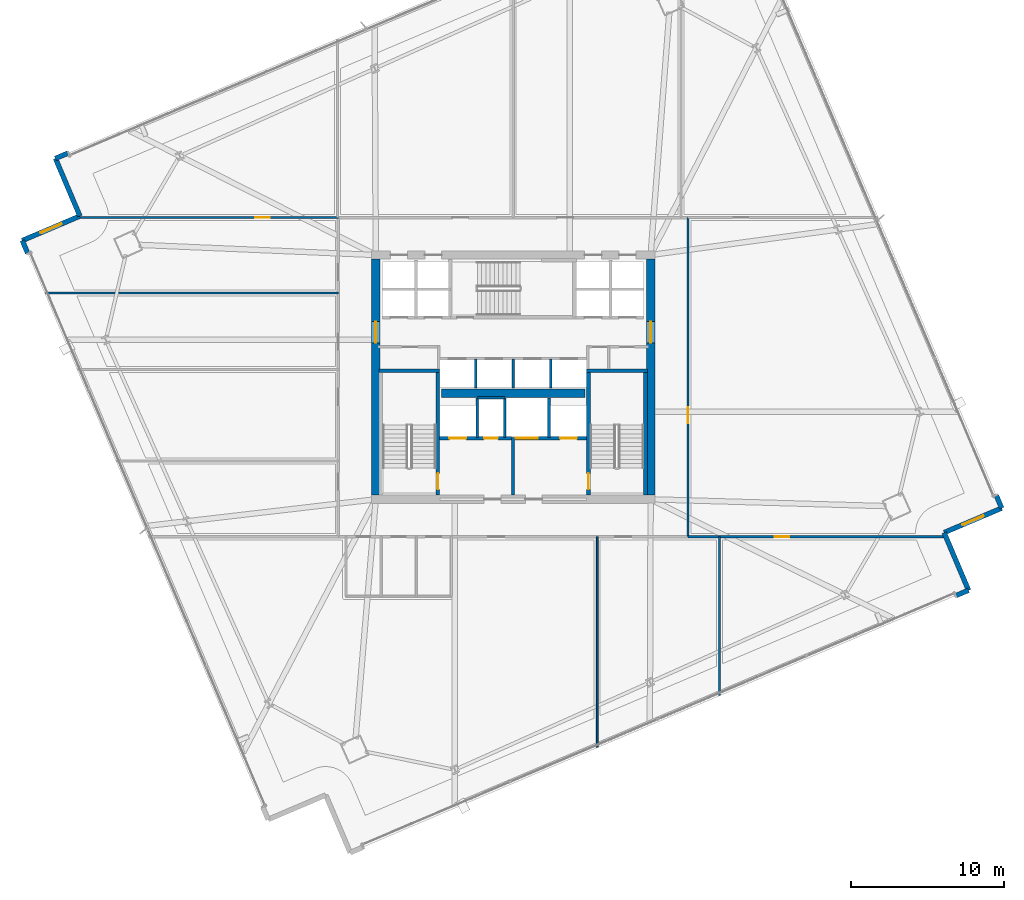
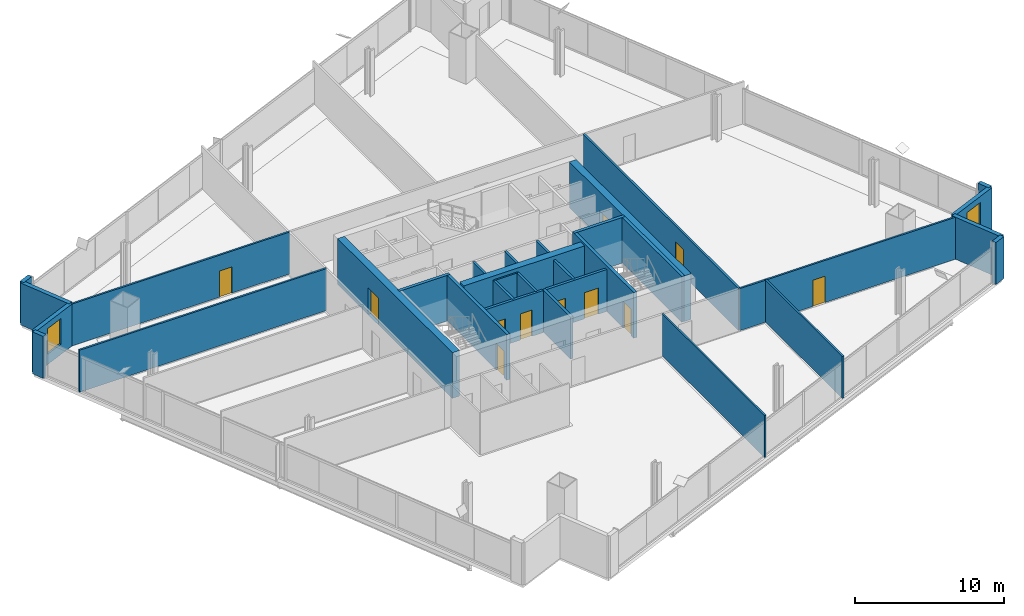
# One storey, part 27 of 34: 32 walls, 11 doors, 2 windows, 13 openings.
"""IFC4 building model written with IfcOpenShell, lengths in metres."""

from ifc_helpers import new_model, si_unit, direction, frame, frame_2d, origin, place, context, subcontext, project, spatial, rectangle, extrude, material, layer, layer_set, type_object, element, fill, save


model = new_model("IFC4")

# Units and contexts
model_context = context("Model", 3, precision=1e-05, world=origin(), true_north=direction((0.0, 1.0)))
body_context = subcontext(model_context, "Body", "Model", "MODEL_VIEW")
ifc_project = project(units=[si_unit("LENGTHUNIT", "METRE"), si_unit("AREAUNIT", "SQUARE_METRE"), si_unit("VOLUMEUNIT", "CUBIC_METRE"), si_unit("PLANEANGLEUNIT", "RADIAN"), si_unit("MASSUNIT", "GRAM", prefix="KILO")], contexts=[model_context])

# Site, building, storey
site_placement = place(None, origin())
site = spatial("IfcSite", under=ifc_project, at=site_placement, CompositionType="ELEMENT")
building_placement = place(site_placement, origin())
building = spatial("IfcBuilding", under=site, at=building_placement, Name="Haldenkirk Collegiate Tower", CompositionType="ELEMENT")
storey_placement = place(building_placement, frame((0.0, 0.0, 105.449951171875)))
storey = spatial("IfcBuildingStorey", under=building, at=storey_placement, Name="L25", CompositionType="ELEMENT", Elevation=105.449951171875)

# Wall, opening, door
ifc_material_1 = material(Name="Concrete f'c 70 MPa", Category="concrete")
ifc_layer_1 = layer(ifc_material_1, 0.550048828125)
ifc_layer_set_1 = layer_set([ifc_layer_1], Name="Concrete f'c 70 MPa")
wall_type_1 = type_object("IfcWallType", Name="WL-CORE-550", PredefinedType="SHEAR", material=ifc_layer_set_1)
wall_1_placement = place(storey_placement, frame((27.0, 18.27490234375, 0.0), z_axis=(0.0, 0.0, 1.0), x_axis=(0.0, 1.0, 0.0)))
wall_1 = element("IfcWall", 1, at=wall_1_placement, inside=storey, type_object=wall_type_1, Name="L25 central core shear wall W", PredefinedType="SHEAR", context=body_context, shape_type="SweptSolid", body=[
    extrude(rectangle(XDim=15.4501953125, YDim=0.550048828125, at=frame_2d((7.72509765625, 0.0))), origin(), (0.0, 0.0, 1.0), 3.75),
])
opening_1_placement = place(wall_1_placement, frame((9.965087890625, 0.0, 0.0)))
opening_1 = element("IfcOpeningElement", 2, at=opening_1_placement, cuts=wall_1, Name="Opening D-03", PredefinedType="OPENING", context=body_context, shape_type="SweptSolid", body=[
    extrude(rectangle(XDim=1.39990234375, YDim=2.199951171875, at=frame_2d((0.699951171875, 1.10009765625))), frame((0.0, 0.284912109375, 0.0), z_axis=(0.0, -1.0, 0.0), x_axis=(1.0, 0.0, 0.0)), (0.0, 0.0, 1.0), 0.570068359375),
])
ifc_material_2 = material(Name="Galvanized fire-rated hollow steel door", Category="steel")
ifc_layer_2 = layer(ifc_material_2, 0.06005859375)
ifc_layer_set_2 = layer_set([ifc_layer_2], Name="Galvanized fire-rated hollow steel door")
door_type_1 = type_object("IfcDoorType", Name="DR-LOBBY-FD90-1400", OperationType="NOTDEFINED", PredefinedType="DOOR", material=ifc_layer_set_2)
door_1_placement = place(opening_1_placement, origin())
door_1 = element("IfcDoor", 3, at=door_1_placement, inside=storey, type_object=door_type_1, Name="L25 west lift lobby portal", OperationType="DOUBLE_DOOR_SINGLE_SWING", OverallHeight=2.199951171875, OverallWidth=1.39990234375, PredefinedType="DOOR", context=body_context, shape_type="SweptSolid", body=[
    extrude(rectangle(XDim=1.39990234375, YDim=2.199951171875, at=frame_2d((0.699951171875, 1.10009765625))), frame((0.0, 0.02490234375, 0.0), z_axis=(0.0, -1.0, 0.0), x_axis=(1.0, 0.0, 0.0)), (0.0, 0.0, 1.0), 0.050048828125),
])
fill(opening_1, door_1)

wall_2_placement = place(storey_placement, frame((45.0, 18.27490234375, 0.0), z_axis=(0.0, 0.0, 1.0), x_axis=(0.0, 1.0, 0.0)))
wall_2 = element("IfcWall", 4, at=wall_2_placement, inside=storey, type_object=wall_type_1, Name="L25 central core shear wall E", PredefinedType="SHEAR", context=body_context, shape_type="SweptSolid", body=[
    extrude(rectangle(XDim=15.4501953125, YDim=0.550048828125, at=frame_2d((7.72509765625, 0.0))), origin(), (0.0, 0.0, 1.0), 3.75),
])
opening_2_placement = place(wall_2_placement, frame((9.965087890625, 0.0, 0.0)))
opening_2 = element("IfcOpeningElement", 5, at=opening_2_placement, cuts=wall_2, Name="Opening D-03", PredefinedType="OPENING", context=body_context, shape_type="SweptSolid", body=[
    extrude(rectangle(XDim=1.39990234375, YDim=2.199951171875, at=frame_2d((0.699951171875, 1.10009765625))), frame((0.0, 0.284912109375, 0.0), z_axis=(0.0, -1.0, 0.0), x_axis=(1.0, 0.0, 0.0)), (0.0, 0.0, 1.0), 0.570068359375),
])
door_2_placement = place(opening_2_placement, origin())
door_2 = element("IfcDoor", 6, at=door_2_placement, inside=storey, type_object=door_type_1, Name="L25 east lift lobby portal", OperationType="DOUBLE_DOOR_SINGLE_SWING", OverallHeight=2.199951171875, OverallWidth=1.39990234375, PredefinedType="DOOR", context=body_context, shape_type="SweptSolid", body=[
    extrude(rectangle(XDim=1.39990234375, YDim=2.199951171875, at=frame_2d((0.699951171875, 1.10009765625))), frame((0.0, 0.02490234375, 0.0), z_axis=(0.0, -1.0, 0.0), x_axis=(1.0, 0.0, 0.0)), (0.0, 0.0, 1.0), 0.050048828125),
])
fill(opening_2, door_2)

# Walls
wall_3_placement = place(storey_placement, frame((31.31005859375, 24.949951171875, 0.0), z_axis=(0.0, 0.0, 1.0), x_axis=(1.0, 0.0, 0.0)))
element("IfcWall", 7, at=wall_3_placement, inside=storey, type_object=wall_type_1, Name="L25 central core spine shear wall", PredefinedType="SHEAR", context=body_context, shape_type="SweptSolid", body=[
    extrude(rectangle(XDim=9.3798828125, YDim=0.550048828125, at=frame_2d((4.68994140625, 0.0))), origin(), (0.0, 0.0, 1.0), 3.75),
])
ifc_material_3 = material(Name="Precast concrete f'c 40 MPa", Category="concrete")
ifc_layer_3 = layer(ifc_material_3, 0.320068359375)
ifc_layer_set_3 = layer_set([ifc_layer_3], Name="Precast concrete f'c 40 MPa")
wall_type_2 = type_object("IfcWallType", Name="WL-EXT-TWR-320", PredefinedType="STANDARD", material=ifc_layer_set_3)
wall_4_placement = place(storey_placement, frame((65.823974609375, 12.043701171875, 0.0), z_axis=(0.0, 0.0, 1.0), x_axis=(-0.920430982357, -0.390905112165, 0.0)))
element("IfcWall", 8, at=wall_4_placement, inside=storey, type_object=wall_type_2, Name="L25 precast corner pier SL", PredefinedType="STANDARD", context=body_context, shape_type="SweptSolid", body=[
    extrude(rectangle(XDim=0.89990234375, YDim=0.320068359375, at=frame_2d((0.449951171875, 0.0))), origin(), (0.0, 0.0, 1.0), 3.449951171875),
])
wall_5_placement = place(storey_placement, frame((64.221923828125, 15.81787109375, 0.0), z_axis=(0.0, 0.0, 1.0), x_axis=(0.390733339196, -0.92050391506, 0.0)))
element("IfcWall", 9, at=wall_5_placement, inside=storey, type_object=wall_type_2, Name="L25 bronze precast notch wall 02", PredefinedType="STANDARD", context=body_context, shape_type="SweptSolid", body=[
    extrude(rectangle(XDim=4.10009765625, YDim=0.320068359375, at=frame_2d((2.050048828125, 0.0))), origin(), (0.0, 0.0, 1.0), 3.449951171875),
])

# Wall, opening, window
wall_6_placement = place(storey_placement, frame((67.99609375, 17.419921875, 0.0), z_axis=(0.0, 0.0, 1.0), x_axis=(-0.92050391506, -0.390733339196, 0.0)))
wall_6 = element("IfcWall", 10, at=wall_6_placement, inside=storey, type_object=wall_type_2, Name="L25 bronze precast notch wall 03", PredefinedType="STANDARD", context=body_context, shape_type="SweptSolid", body=[
    extrude(rectangle(XDim=4.10009765625, YDim=0.320068359375, at=frame_2d((2.050048828125, 0.0))), origin(), (0.0, 0.0, 1.0), 3.449951171875),
])
opening_3_placement = place(wall_6_placement, frame((1.300048828125, 0.0, 0.85009765625)))
opening_3 = element("IfcOpeningElement", 11, at=opening_3_placement, cuts=wall_6, Name="Opening W-04", PredefinedType="OPENING", context=body_context, shape_type="SweptSolid", body=[
    extrude(rectangle(XDim=1.5, YDim=2.10009765625, at=frame_2d((0.75, 1.050048828125))), frame((0.0, 0.169921875, 0.0), z_axis=(0.0, -1.0, 0.0), x_axis=(1.0, 0.0, 0.0)), (0.0, 0.0, 1.0), 0.340087890625),
])
ifc_material_4 = material(Name="Low-E argon triple insulating glass", Category="glass")
ifc_layer_4 = layer(ifc_material_4, 0.090087890625)
ifc_layer_set_4 = layer_set([ifc_layer_4], Name="Low-E argon triple insulating glass")
window_type = type_object("IfcWindowType", Name="WN-Z2-1500X2100", PartitioningType="SINGLE_PANEL", PredefinedType="WINDOW", material=ifc_layer_set_4)
window_1_placement = place(opening_3_placement, origin())
window_1 = element("IfcWindow", 12, at=window_1_placement, inside=storey, type_object=window_type, Name="L25 precast-frame academic window 2", OverallHeight=2.10009765625, OverallWidth=1.5, PartitioningType="SINGLE_PANEL", PredefinedType="WINDOW", context=body_context, shape_type="SweptSolid", body=[
    extrude(rectangle(XDim=1.5, YDim=2.10009765625, at=frame_2d((0.75, 1.050048828125))), frame((0.0, 0.030029296875, 0.0), z_axis=(0.0, -1.0, 0.0), x_axis=(1.0, 0.0, 0.0)), (0.0, 0.0, 1.0), 0.06005859375),
])
fill(opening_3, window_1)

# Walls
for number, where, z_axis, x_axis, name in (
    (13, (67.644287109375, 18.248291015625, 0.0), (0.0, 0.0, 1.0), (0.390905112165, -0.920430982357, 0.0), "L25 precast corner pier ER"),
    (14, (6.019775390625, 40.324462890625, 0.0), (0.0, 0.0, 1.0), (0.920430982357, 0.390905112165, 0.0), "L25 precast corner pier NL"),
):
    element("IfcWall", number, at=place(storey_placement, frame(where, z_axis=z_axis, x_axis=x_axis)), inside=storey, type_object=wall_type_2, Name=name, PredefinedType="STANDARD", context=body_context, shape_type="SweptSolid", body=[
        extrude(rectangle(XDim=0.89990234375, YDim=0.320068359375, at=frame_2d((0.449951171875, 0.0))), origin(), (0.0, 0.0, 1.0), 3.449951171875),
    ])
wall_7_placement = place(storey_placement, frame((7.62158203125, 36.55029296875, 0.0), z_axis=(0.0, 0.0, 1.0), x_axis=(-0.390682883444, 0.920525330767, 0.0)))
element("IfcWall", 15, at=wall_7_placement, inside=storey, type_object=wall_type_2, Name="L25 bronze precast notch wall 08", PredefinedType="STANDARD", context=body_context, shape_type="SweptSolid", body=[
    extrude(rectangle(XDim=4.10009765625, YDim=0.320068359375, at=frame_2d((2.050048828125, 0.0))), origin(), (0.0, 0.0, 1.0), 3.449951171875),
])

# Wall, opening, window
wall_8_placement = place(storey_placement, frame((3.84765625, 34.948486328125, 0.0), z_axis=(0.0, 0.0, 1.0), x_axis=(0.920516241292, 0.390704299335, 0.0)))
wall_8 = element("IfcWall", 16, at=wall_8_placement, inside=storey, type_object=wall_type_2, Name="L25 bronze precast notch wall 09", PredefinedType="STANDARD", context=body_context, shape_type="SweptSolid", body=[
    extrude(rectangle(XDim=4.099853515625, YDim=0.320068359375, at=frame_2d((2.0498046875, 0.0))), origin(), (0.0, 0.0, 1.0), 3.449951171875),
])
opening_4_placement = place(wall_8_placement, frame((1.300048828125, 0.0, 0.85009765625)))
opening_4 = element("IfcOpeningElement", 17, at=opening_4_placement, cuts=wall_8, Name="Opening W-04", PredefinedType="OPENING", context=body_context, shape_type="SweptSolid", body=[
    extrude(rectangle(XDim=1.5, YDim=2.10009765625, at=frame_2d((0.75, 1.050048828125))), frame((0.0, 0.169921875, 0.0), z_axis=(0.0, -1.0, 0.0), x_axis=(1.0, 0.0, 0.0)), (0.0, 0.0, 1.0), 0.340087890625),
])
window_2_placement = place(opening_4_placement, origin())
window_2 = element("IfcWindow", 18, at=window_2_placement, inside=storey, type_object=window_type, Name="L25 precast-frame academic window 8", OverallHeight=2.10009765625, OverallWidth=1.5, PartitioningType="SINGLE_PANEL", PredefinedType="WINDOW", context=body_context, shape_type="SweptSolid", body=[
    extrude(rectangle(XDim=1.5, YDim=2.10009765625, at=frame_2d((0.75, 1.050048828125))), frame((0.0, 0.030029296875, 0.0), z_axis=(0.0, -1.0, 0.0), x_axis=(1.0, 0.0, 0.0)), (0.0, 0.0, 1.0), 0.06005859375),
])
fill(opening_4, window_2)

# Wall
wall_9_placement = place(storey_placement, frame((4.19921875, 34.119873046875, 0.0), z_axis=(0.0, 0.0, 1.0), x_axis=(-0.3905777089, 0.920569961117, 0.0)))
element("IfcWall", 19, at=wall_9_placement, inside=storey, type_object=wall_type_2, Name="L25 precast corner pier WR", PredefinedType="STANDARD", context=body_context, shape_type="SweptSolid", body=[
    extrude(rectangle(XDim=0.900146484375, YDim=0.320068359375, at=frame_2d((0.4501953125, 0.0))), origin(), (0.0, 0.0, 1.0), 3.449951171875),
])

# Wall, opening, door
ifc_material_5 = material(Name="Acoustic fire-rated gypsum partition", Category="concrete")
ifc_layer_5 = layer(ifc_material_5, 0.159912109375)
ifc_layer_set_5 = layer_set([ifc_layer_5], Name="Acoustic fire-rated gypsum partition")
wall_type_3 = type_object("IfcWallType", Name="WL-INT-CORR-160", PredefinedType="PARTITIONING", material=ifc_layer_set_5)
wall_10_placement = place(storey_placement, frame((47.449951171875, 15.550048828125, 0.0), z_axis=(0.0, 0.0, 1.0), x_axis=(0.0, 1.0, 0.0)))
wall_10 = element("IfcWall", 20, at=wall_10_placement, inside=storey, type_object=wall_type_3, Name="L25 interior partition IW-L25-CE", PredefinedType="PARTITIONING", context=body_context, shape_type="SweptSolid", body=[
    extrude(rectangle(XDim=20.89990234375, YDim=0.159912109375, at=frame_2d((10.449951171875, 0.0))), origin(), (0.0, 0.0, 1.0), 3.449951171875),
])
opening_5_placement = place(wall_10_placement, frame((7.4169921875, 0.0, 0.0)))
opening_5 = element("IfcOpeningElement", 21, at=opening_5_placement, cuts=wall_10, Name="Opening D-09", PredefinedType="OPENING", context=body_context, shape_type="SweptSolid", body=[
    extrude(rectangle(XDim=1.050048828125, YDim=2.14990234375, at=frame_2d((0.52490234375, 1.074951171875))), frame((0.0, 0.08984375, 0.0), z_axis=(0.0, -1.0, 0.0), x_axis=(1.0, 0.0, 0.0)), (0.0, 0.0, 1.0), 0.179931640625),
])
ifc_material_6 = material(Name="Solid-core architectural oak fire door", Category="wood")
ifc_layer_6 = layer(ifc_material_6, 0.06005859375)
ifc_layer_set_6 = layer_set([ifc_layer_6], Name="Solid-core architectural oak fire door")
door_type_2 = type_object("IfcDoorType", Name="DR-INT-FD60-1050", OperationType="NOTDEFINED", PredefinedType="DOOR", material=ifc_layer_set_6)
door_3_placement = place(opening_5_placement, origin())
door_3 = element("IfcDoor", 22, at=door_3_placement, inside=storey, type_object=door_type_2, Name="L25 Critique Seminar Room 12 door", OperationType="SINGLE_SWING_LEFT", OverallHeight=2.14990234375, OverallWidth=1.050048828125, PredefinedType="DOOR", context=body_context, shape_type="SweptSolid", body=[
    extrude(rectangle(XDim=1.050048828125, YDim=2.14990234375, at=frame_2d((0.52490234375, 1.074951171875))), frame((0.0, 0.02490234375, 0.0), z_axis=(0.0, -1.0, 0.0), x_axis=(1.0, 0.0, 0.0)), (0.0, 0.0, 1.0), 0.050048828125),
])
fill(opening_5, door_3)

ifc_layer_7 = layer(ifc_material_5, 0.139892578125)
ifc_layer_set_7 = layer_set([ifc_layer_7], Name="Acoustic fire-rated gypsum partition")
wall_type_4 = type_object("IfcWallType", Name="WL-INT-DIV-140", PredefinedType="PARTITIONING", material=ifc_layer_set_7)
wall_11_placement = place(storey_placement, frame((7.487548828125, 36.449951171875, 0.0), z_axis=(0.0, 0.0, 1.0), x_axis=(1.0, 0.0, 0.0)))
wall_11 = element("IfcWall", 23, at=wall_11_placement, inside=storey, type_object=wall_type_4, Name="L25 interior partition IW-L25-BWN", PredefinedType="PARTITIONING", context=body_context, shape_type="SweptSolid", body=[
    extrude(rectangle(XDim=17.0625, YDim=0.139892578125, at=frame_2d((8.53125, 0.0))), origin(), (0.0, 0.0, 1.0), 3.449951171875),
])
opening_6_placement = place(wall_11_placement, frame((11.62158203125, 0.0, 0.0)))
opening_6 = element("IfcOpeningElement", 24, at=opening_6_placement, cuts=wall_11, Name="Opening D-12", PredefinedType="OPENING", context=body_context, shape_type="SweptSolid", body=[
    extrude(rectangle(XDim=0.949951171875, YDim=2.14990234375, at=frame_2d((0.47509765625, 1.074951171875))), frame((0.0, 0.079833984375, 0.0), z_axis=(0.0, -1.0, 0.0), x_axis=(1.0, 0.0, 0.0)), (0.0, 0.0, 1.0), 0.159912109375),
])
ifc_layer_8 = layer(ifc_material_6, 0.06005859375)
ifc_layer_set_8 = layer_set([ifc_layer_8], Name="Solid-core architectural oak fire door")
door_type_3 = type_object("IfcDoorType", Name="DR-INT-STD-950", OperationType="NOTDEFINED", PredefinedType="DOOR", material=ifc_layer_set_8)
door_4_placement = place(opening_6_placement, origin())
door_4 = element("IfcDoor", 25, at=door_4_placement, inside=storey, type_object=door_type_3, Name="L25 Breakout Conference Room 4 door", OperationType="SINGLE_SWING_LEFT", OverallHeight=2.14990234375, OverallWidth=0.949951171875, PredefinedType="DOOR", context=body_context, shape_type="SweptSolid", body=[
    extrude(rectangle(XDim=0.949951171875, YDim=2.14990234375, at=frame_2d((0.47509765625, 1.074951171875))), frame((0.0, 0.02490234375, 0.0), z_axis=(0.0, -1.0, 0.0), x_axis=(1.0, 0.0, 0.0)), (0.0, 0.0, 1.0), 0.050048828125),
])
fill(opening_6, door_4)

wall_12_placement = place(storey_placement, frame((47.449951171875, 15.550048828125, 0.0), z_axis=(0.0, 0.0, 1.0), x_axis=(1.0, 0.0, 0.0)))
wall_12 = element("IfcWall", 26, at=wall_12_placement, inside=storey, type_object=wall_type_4, Name="L25 interior partition IW-L25-BES", PredefinedType="PARTITIONING", context=body_context, shape_type="SweptSolid", body=[
    extrude(rectangle(XDim=16.84228515625, YDim=0.139892578125, at=frame_2d((8.421142578125, 0.0))), origin(), (0.0, 0.0, 1.0), 3.449951171875),
])
opening_7_placement = place(wall_12_placement, frame((5.6689453125, 0.0, 0.0)))
opening_7 = element("IfcOpeningElement", 27, at=opening_7_placement, cuts=wall_12, Name="Opening D-12", PredefinedType="OPENING", context=body_context, shape_type="SweptSolid", body=[
    extrude(rectangle(XDim=0.949951171875, YDim=2.14990234375, at=frame_2d((0.47509765625, 1.074951171875))), frame((0.0, 0.079833984375, 0.0), z_axis=(0.0, -1.0, 0.0), x_axis=(1.0, 0.0, 0.0)), (0.0, 0.0, 1.0), 0.159912109375),
])
door_5_placement = place(opening_7_placement, origin())
door_5 = element("IfcDoor", 28, at=door_5_placement, inside=storey, type_object=door_type_3, Name="L25 Tutorial Seminar Room 3 door", OperationType="SINGLE_SWING_RIGHT", OverallHeight=2.14990234375, OverallWidth=0.949951171875, PredefinedType="DOOR", context=body_context, shape_type="SweptSolid", body=[
    extrude(rectangle(XDim=0.949951171875, YDim=2.14990234375, at=frame_2d((0.47509765625, 1.074951171875))), frame((0.0, 0.02490234375, 0.0), z_axis=(0.0, -1.0, 0.0), x_axis=(1.0, 0.0, 0.0)), (0.0, 0.0, 1.0), 0.050048828125),
])
fill(opening_7, door_5)

# Walls
wall_13_placement = place(storey_placement, frame((49.5, 5.157958984375, 0.0), z_axis=(0.0, 0.0, 1.0), x_axis=(0.0, 1.0, 0.0)))
element("IfcWall", 29, at=wall_13_placement, inside=storey, type_object=wall_type_4, Name="L25 interior partition IW-L25-RS2", PredefinedType="PARTITIONING", context=body_context, shape_type="SweptSolid", body=[
    extrude(rectangle(XDim=10.39208984375, YDim=0.139892578125, at=frame_2d((5.196044921875, 0.0))), origin(), (0.0, 0.0, 1.0), 3.449951171875),
])
wall_14_placement = place(storey_placement, frame((5.354736328125, 31.5, 0.0), z_axis=(0.0, 0.0, 1.0), x_axis=(1.0, 0.0, 0.0)))
element("IfcWall", 30, at=wall_14_placement, inside=storey, type_object=wall_type_4, Name="L25 interior partition IW-L25-RW3", PredefinedType="PARTITIONING", context=body_context, shape_type="SweptSolid", body=[
    extrude(rectangle(XDim=19.1953125, YDim=0.139892578125, at=frame_2d((9.59765625, 0.0))), origin(), (0.0, 0.0, 1.0), 3.449951171875),
])
ifc_material_7 = material(Name="Fire-rated gypsum shaftboard assembly", Category="concrete")
ifc_layer_9 = layer(ifc_material_7, 0.179931640625)
ifc_layer_set_9 = layer_set([ifc_layer_9], Name="Fire-rated gypsum shaftboard assembly")
wall_type_5 = type_object("IfcWallType", Name="WL-INT-SHAFT-180", PredefinedType="PARTITIONING", material=ifc_layer_set_9)
for number, where, z_axis, x_axis, name in (
    (31, (33.64990234375, 22.050048828125, 0.0), (0.0, 0.0, 1.0), (0.0, 1.0, 0.0), "L25 interior partition IW-L25-FL1E"),
    (32, (35.449951171875, 22.050048828125, 0.0), (0.0, 0.0, 1.0), (0.0, 1.0, 0.0), "L25 interior partition IW-L25-GL1W"),
):
    element("IfcWall", number, at=place(storey_placement, frame(where, z_axis=z_axis, x_axis=x_axis)), inside=storey, type_object=wall_type_5, Name=name, PredefinedType="PARTITIONING", context=body_context, shape_type="SweptSolid", body=[
        extrude(rectangle(XDim=2.599853515625, YDim=0.179931640625, at=frame_2d((1.2998046875, 0.0))), origin(), (0.0, 0.0, 1.0), 3.449951171875),
    ])
wall_15_placement = place(storey_placement, frame((33.64990234375, 24.64990234375, 0.0), z_axis=(0.0, 0.0, 1.0), x_axis=(1.0, 0.0, 0.0)))
element("IfcWall", 33, at=wall_15_placement, inside=storey, type_object=wall_type_5, Name="L25 interior partition IW-L25-RSRN", PredefinedType="PARTITIONING", context=body_context, shape_type="SweptSolid", body=[
    extrude(rectangle(XDim=1.800048828125, YDim=0.179931640625, at=frame_2d((0.89990234375, 0.0))), origin(), (0.0, 0.0, 1.0), 3.449951171875),
])
wall_16_placement = place(storey_placement, frame((38.35009765625, 22.050048828125, 0.0), z_axis=(0.0, 0.0, 1.0), x_axis=(0.0, 1.0, 0.0)))
element("IfcWall", 34, at=wall_16_placement, inside=storey, type_object=wall_type_5, Name="L25 interior partition IW-L25-GL1E", PredefinedType="PARTITIONING", context=body_context, shape_type="SweptSolid", body=[
    extrude(rectangle(XDim=2.599853515625, YDim=0.179931640625, at=frame_2d((1.2998046875, 0.0))), origin(), (0.0, 0.0, 1.0), 3.449951171875),
])
for number, where, z_axis, x_axis, name in (
    (35, (33.5400390625, 25.300048828125, 0.0), (0.0, 0.0, 1.0), (0.0, 1.0, 0.0), "L25 interior partition IW-L25-PHV1"),
    (36, (36.0, 25.300048828125, 0.0), (0.0, 0.0, 1.0), (0.0, 1.0, 0.0), "L25 interior partition IW-L25-PHV2"),
    (37, (38.4599609375, 25.300048828125, 0.0), (0.0, 0.0, 1.0), (0.0, 1.0, 0.0), "L25 interior partition IW-L25-PHV3"),
):
    element("IfcWall", number, at=place(storey_placement, frame(where, z_axis=z_axis, x_axis=x_axis)), inside=storey, type_object=wall_type_5, Name=name, PredefinedType="PARTITIONING", context=body_context, shape_type="SweptSolid", body=[
        extrude(rectangle(XDim=1.89990234375, YDim=0.179931640625, at=frame_2d((0.949951171875, 0.0))), origin(), (0.0, 0.0, 1.0), 3.449951171875),
    ])
ifc_layer_10 = layer(ifc_material_7, 0.199951171875)
ifc_layer_set_10 = layer_set([ifc_layer_10], Name="Fire-rated gypsum shaftboard assembly")
wall_type_6 = type_object("IfcWallType", Name="WL-INT-SHAFT-200", PredefinedType="PARTITIONING", material=ifc_layer_set_10)
wall_17_placement = place(storey_placement, frame((36.0, 18.280029296875, 0.0), z_axis=(0.0, 0.0, 1.0), x_axis=(0.0, 1.0, 0.0)))
element("IfcWall", 38, at=wall_17_placement, inside=storey, type_object=wall_type_6, Name="L25 interior partition IW-L25-FFLM", PredefinedType="PARTITIONING", context=body_context, shape_type="SweptSolid", body=[
    extrude(rectangle(XDim=3.77001953125, YDim=0.199951171875, at=frame_2d((1.885009765625, 0.0))), origin(), (0.0, 0.0, 1.0), 3.449951171875),
])

# Wall, openings, doors
wall_18_placement = place(storey_placement, frame((31.18994140625, 22.0, 0.0), z_axis=(0.0, 0.0, 1.0), x_axis=(1.0, 0.0, 0.0)))
wall_18 = element("IfcWall", 39, at=wall_18_placement, inside=storey, type_object=wall_type_6, Name="L25 interior partition IW-L25-FFL1N", PredefinedType="PARTITIONING", context=body_context, shape_type="SweptSolid", body=[
    extrude(rectangle(XDim=4.68994140625, YDim=0.199951171875, at=frame_2d((2.344970703125, 0.0))), origin(), (0.0, 0.0, 1.0), 3.449951171875),
])
opening_8_placement = place(wall_18_placement, frame((2.909912109375, 0.0, 0.0)))
opening_8 = element("IfcOpeningElement", 40, at=opening_8_placement, cuts=wall_18, Name="Opening D-06", PredefinedType="OPENING", context=body_context, shape_type="SweptSolid", body=[
    extrude(rectangle(XDim=0.89990234375, YDim=2.14990234375, at=frame_2d((0.449951171875, 1.074951171875))), frame((0.0, 0.10986328125, 0.0), z_axis=(0.0, -1.0, 0.0), x_axis=(1.0, 0.0, 0.0)), (0.0, 0.0, 1.0), 0.219970703125),
])
opening_9_placement = place(wall_18_placement, frame((0.635009765625, 0.0, 0.0)))
opening_9 = element("IfcOpeningElement", 41, at=opening_9_placement, cuts=wall_18, Name="Opening LD-12", PredefinedType="OPENING", context=body_context, shape_type="SweptSolid", body=[
    extrude(rectangle(XDim=1.10009765625, YDim=2.14990234375, at=frame_2d((0.550048828125, 1.074951171875))), frame((0.0, 0.10986328125, 0.0), z_axis=(0.0, -1.0, 0.0), x_axis=(1.0, 0.0, 0.0)), (0.0, 0.0, 1.0), 0.219970703125),
])
ifc_layer_11 = layer(ifc_material_2, 0.06005859375)
ifc_layer_set_11 = layer_set([ifc_layer_11], Name="Galvanized fire-rated hollow steel door")
door_type_4 = type_object("IfcDoorType", Name="DR-INT-FD90-900", OperationType="NOTDEFINED", PredefinedType="DOOR", material=ifc_layer_set_11)
door_6_placement = place(opening_8_placement, origin())
door_6 = element("IfcDoor", 42, at=door_6_placement, inside=storey, type_object=door_type_4, Name="L25 electrical riser door", OperationType="SINGLE_SWING_RIGHT", OverallHeight=2.14990234375, OverallWidth=0.89990234375, PredefinedType="DOOR", context=body_context, shape_type="SweptSolid", body=[
    extrude(rectangle(XDim=0.89990234375, YDim=2.14990234375, at=frame_2d((0.449951171875, 1.074951171875))), frame((0.0, 0.02490234375, 0.0), z_axis=(0.0, -1.0, 0.0), x_axis=(1.0, 0.0, 0.0)), (0.0, 0.0, 1.0), 0.050048828125),
])
fill(opening_8, door_6)
ifc_material_8 = material(Name="Brushed architectural stainless steel", Category="steel")
ifc_layer_12 = layer(ifc_material_8, 0.06005859375)
ifc_layer_set_12 = layer_set([ifc_layer_12], Name="Brushed architectural stainless steel")
door_type_5 = type_object("IfcDoorType", Name="LD-FIRE-1100", OperationType="NOTDEFINED", PredefinedType="DOOR", material=ifc_layer_set_12)
door_7_placement = place(opening_9_placement, origin())
door_7 = element("IfcDoor", 43, at=door_7_placement, inside=storey, type_object=door_type_5, Name="L25 Elevator FL1 sliding landing door", OperationType="SLIDING_TO_LEFT", OverallHeight=2.14990234375, OverallWidth=1.10009765625, PredefinedType="DOOR", context=body_context, shape_type="SweptSolid", body=[
    extrude(rectangle(XDim=1.10009765625, YDim=2.14990234375, at=frame_2d((0.550048828125, 1.074951171875))), frame((0.0, 0.02490234375, 0.0), z_axis=(0.0, -1.0, 0.0), x_axis=(1.0, 0.0, 0.0)), (0.0, 0.0, 1.0), 0.050048828125),
])
fill(opening_9, door_7)

wall_19_placement = place(storey_placement, frame((36.1201171875, 22.0, 0.0), z_axis=(0.0, 0.0, 1.0), x_axis=(1.0, 0.0, 0.0)))
wall_19 = element("IfcWall", 44, at=wall_19_placement, inside=storey, type_object=wall_type_6, Name="L25 interior partition IW-L25-FFL2N", PredefinedType="PARTITIONING", context=body_context, shape_type="SweptSolid", body=[
    extrude(rectangle(XDim=4.68994140625, YDim=0.199951171875, at=frame_2d((2.344970703125, 0.0))), origin(), (0.0, 0.0, 1.0), 3.449951171875),
])
opening_10_placement = place(wall_19_placement, frame((2.955078125, 0.0, 0.0)))
opening_10 = element("IfcOpeningElement", 45, at=opening_10_placement, cuts=wall_19, Name="Opening LD-12", PredefinedType="OPENING", context=body_context, shape_type="SweptSolid", body=[
    extrude(rectangle(XDim=1.10009765625, YDim=2.14990234375, at=frame_2d((0.550048828125, 1.074951171875))), frame((0.0, 0.10986328125, 0.0), z_axis=(0.0, -1.0, 0.0), x_axis=(1.0, 0.0, 0.0)), (0.0, 0.0, 1.0), 0.219970703125),
])
opening_11_placement = place(wall_19_placement, frame((0.080078125, 0.0, 0.0)))
opening_11 = element("IfcOpeningElement", 46, at=opening_11_placement, cuts=wall_19, Name="Opening LD-13", PredefinedType="OPENING", context=body_context, shape_type="SweptSolid", body=[
    extrude(rectangle(XDim=1.39990234375, YDim=2.199951171875, at=frame_2d((0.699951171875, 1.10009765625))), frame((0.0, 0.10986328125, 0.0), z_axis=(0.0, -1.0, 0.0), x_axis=(1.0, 0.0, 0.0)), (0.0, 0.0, 1.0), 0.219970703125),
])
door_8_placement = place(opening_10_placement, origin())
door_8 = element("IfcDoor", 47, at=door_8_placement, inside=storey, type_object=door_type_5, Name="L25 Elevator FL2 sliding landing door", OperationType="SLIDING_TO_LEFT", OverallHeight=2.14990234375, OverallWidth=1.10009765625, PredefinedType="DOOR", context=body_context, shape_type="SweptSolid", body=[
    extrude(rectangle(XDim=1.10009765625, YDim=2.14990234375, at=frame_2d((0.550048828125, 1.074951171875))), frame((0.0, 0.02490234375, 0.0), z_axis=(0.0, -1.0, 0.0), x_axis=(1.0, 0.0, 0.0)), (0.0, 0.0, 1.0), 0.050048828125),
])
fill(opening_10, door_8)
ifc_layer_13 = layer(ifc_material_8, 0.06005859375)
ifc_layer_set_13 = layer_set([ifc_layer_13], Name="Brushed architectural stainless steel")
door_type_6 = type_object("IfcDoorType", Name="LD-GOODS-1400", OperationType="NOTDEFINED", PredefinedType="DOOR", material=ifc_layer_set_13)
door_9_placement = place(opening_11_placement, origin())
door_9 = element("IfcDoor", 48, at=door_9_placement, inside=storey, type_object=door_type_6, Name="L25 Elevator GL1 sliding landing door", OperationType="SLIDING_TO_LEFT", OverallHeight=2.199951171875, OverallWidth=1.39990234375, PredefinedType="DOOR", context=body_context, shape_type="SweptSolid", body=[
    extrude(rectangle(XDim=1.39990234375, YDim=2.199951171875, at=frame_2d((0.699951171875, 1.10009765625))), frame((0.0, 0.02490234375, 0.0), z_axis=(0.0, -1.0, 0.0), x_axis=(1.0, 0.0, 0.0)), (0.0, 0.0, 1.0), 0.050048828125),
])
fill(opening_11, door_9)

# Wall
ifc_layer_14 = layer(ifc_material_5, 0.1201171875)
ifc_layer_set_14 = layer_set([ifc_layer_14], Name="Acoustic fire-rated gypsum partition")
wall_type_7 = type_object("IfcWallType", Name="WL-INT-WET-120", PredefinedType="PARTITIONING", material=ifc_layer_set_14)
wall_20_placement = place(storey_placement, frame((41.5, 1.76220703125, 0.0), z_axis=(0.0, 0.0, 1.0), x_axis=(0.0, 1.0, 0.0)))
element("IfcWall", 49, at=wall_20_placement, inside=storey, type_object=wall_type_7, Name="L25 interior partition IW-L25-RS1", PredefinedType="PARTITIONING", context=body_context, shape_type="SweptSolid", body=[
    extrude(rectangle(XDim=13.787841796875, YDim=0.1201171875, at=frame_2d((6.89404296875, 0.0))), origin(), (0.0, 0.0, 1.0), 3.449951171875),
])

# Wall, opening, door
ifc_material_9 = material(Name="Concrete f'c 55 MPa", Category="concrete")
ifc_layer_15 = layer(ifc_material_9, 0.239990234375)
ifc_layer_set_15 = layer_set([ifc_layer_15], Name="Concrete f'c 55 MPa")
wall_type_8 = type_object("IfcWallType", Name="WL-SHAFT-240", PredefinedType="SHEAR", material=ifc_layer_set_15)
wall_21_placement = place(storey_placement, frame((31.070068359375, 18.280029296875, 0.0), z_axis=(0.0, 0.0, 1.0), x_axis=(0.0, 1.0, 0.0)))
wall_21 = element("IfcWall", 50, at=wall_21_placement, inside=storey, type_object=wall_type_8, Name="L25 stair shaft shear wall SW-L25-ST1E", PredefinedType="SHEAR", context=body_context, shape_type="SweptSolid", body=[
    extrude(rectangle(XDim=8.260009765625, YDim=0.239990234375, at=frame_2d((4.1298828125, 0.0))), origin(), (0.0, 0.0, 1.0), 3.75),
])
opening_12_placement = place(wall_21_placement, frame((0.364990234375, 0.0, 0.0)))
opening_12 = element("IfcOpeningElement", 51, at=opening_12_placement, cuts=wall_21, Name="Opening D-01", PredefinedType="OPENING", context=body_context, shape_type="SweptSolid", body=[
    extrude(rectangle(XDim=1.050048828125, YDim=2.14990234375, at=frame_2d((0.52490234375, 1.074951171875))), frame((0.0, 0.1298828125, 0.0), z_axis=(0.0, -1.0, 0.0), x_axis=(1.0, 0.0, 0.0)), (0.0, 0.0, 1.0), 0.260009765625),
])
ifc_layer_16 = layer(ifc_material_2, 0.06005859375)
ifc_layer_set_16 = layer_set([ifc_layer_16], Name="Galvanized fire-rated hollow steel door")
door_type_7 = type_object("IfcDoorType", Name="DR-STAIR-FD90-1050", OperationType="NOTDEFINED", PredefinedType="DOOR", material=ifc_layer_set_16)
door_10_placement = place(opening_12_placement, origin())
door_10 = element("IfcDoor", 52, at=door_10_placement, inside=storey, type_object=door_type_7, Name="L25 Stair 1 door", OperationType="SINGLE_SWING_LEFT", OverallHeight=2.14990234375, OverallWidth=1.050048828125, PredefinedType="DOOR", context=body_context, shape_type="SweptSolid", body=[
    extrude(rectangle(XDim=1.050048828125, YDim=2.14990234375, at=frame_2d((0.52490234375, 1.074951171875))), frame((0.0, 0.02490234375, 0.0), z_axis=(0.0, -1.0, 0.0), x_axis=(1.0, 0.0, 0.0)), (0.0, 0.0, 1.0), 0.050048828125),
])
fill(opening_12, door_10)

# Wall
wall_22_placement = place(storey_placement, frame((27.2099609375, 26.419921875, 0.0), z_axis=(0.0, 0.0, 1.0), x_axis=(1.0, 0.0, 0.0)))
element("IfcWall", 53, at=wall_22_placement, inside=storey, type_object=wall_type_8, Name="L25 stair shaft shear wall SW-L25-ST1N", PredefinedType="SHEAR", context=body_context, shape_type="SweptSolid", body=[
    extrude(rectangle(XDim=3.97998046875, YDim=0.239990234375, at=frame_2d((1.989990234375, 0.0))), origin(), (0.0, 0.0, 1.0), 3.75),
])

# Wall, opening, door
wall_23_placement = place(storey_placement, frame((40.929931640625, 18.280029296875, 0.0), z_axis=(0.0, 0.0, 1.0), x_axis=(0.0, 1.0, 0.0)))
wall_23 = element("IfcWall", 54, at=wall_23_placement, inside=storey, type_object=wall_type_8, Name="L25 stair shaft shear wall SW-L25-ST2W", PredefinedType="SHEAR", context=body_context, shape_type="SweptSolid", body=[
    extrude(rectangle(XDim=8.260009765625, YDim=0.239990234375, at=frame_2d((4.1298828125, 0.0))), origin(), (0.0, 0.0, 1.0), 3.75),
])
opening_13_placement = place(wall_23_placement, frame((0.364990234375, 0.0, 0.0)))
opening_13 = element("IfcOpeningElement", 55, at=opening_13_placement, cuts=wall_23, Name="Opening D-01", PredefinedType="OPENING", context=body_context, shape_type="SweptSolid", body=[
    extrude(rectangle(XDim=1.050048828125, YDim=2.14990234375, at=frame_2d((0.52490234375, 1.074951171875))), frame((0.0, 0.1298828125, 0.0), z_axis=(0.0, -1.0, 0.0), x_axis=(1.0, 0.0, 0.0)), (0.0, 0.0, 1.0), 0.260009765625),
])
door_11_placement = place(opening_13_placement, origin())
door_11 = element("IfcDoor", 56, at=door_11_placement, inside=storey, type_object=door_type_7, Name="L25 Stair 2 door", OperationType="SINGLE_SWING_RIGHT", OverallHeight=2.14990234375, OverallWidth=1.050048828125, PredefinedType="DOOR", context=body_context, shape_type="SweptSolid", body=[
    extrude(rectangle(XDim=1.050048828125, YDim=2.14990234375, at=frame_2d((0.52490234375, 1.074951171875))), frame((0.0, 0.02490234375, 0.0), z_axis=(0.0, -1.0, 0.0), x_axis=(1.0, 0.0, 0.0)), (0.0, 0.0, 1.0), 0.050048828125),
])
fill(opening_13, door_11)

# Walls
wall_24_placement = place(storey_placement, frame((40.81005859375, 26.419921875, 0.0), z_axis=(0.0, 0.0, 1.0), x_axis=(1.0, 0.0, 0.0)))
element("IfcWall", 57, at=wall_24_placement, inside=storey, type_object=wall_type_8, Name="L25 stair shaft shear wall SW-L25-ST2N", PredefinedType="SHEAR", context=body_context, shape_type="SweptSolid", body=[
    extrude(rectangle(XDim=3.97998046875, YDim=0.239990234375, at=frame_2d((1.989990234375, 0.0))), origin(), (0.0, 0.0, 1.0), 3.75),
])
wall_25_placement = place(storey_placement, frame((44.669921875, 18.280029296875, 0.0), z_axis=(0.0, 0.0, 1.0), x_axis=(0.0, 1.0, 0.0)))
element("IfcWall", 58, at=wall_25_placement, inside=storey, type_object=wall_type_8, Name="L25 stair shaft shear wall SW-L25-ST2E", PredefinedType="SHEAR", context=body_context, shape_type="SweptSolid", body=[
    extrude(rectangle(XDim=8.260009765625, YDim=0.239990234375, at=frame_2d((4.1298828125, 0.0))), origin(), (0.0, 0.0, 1.0), 3.75),
])

save(model, "model.ifc")
